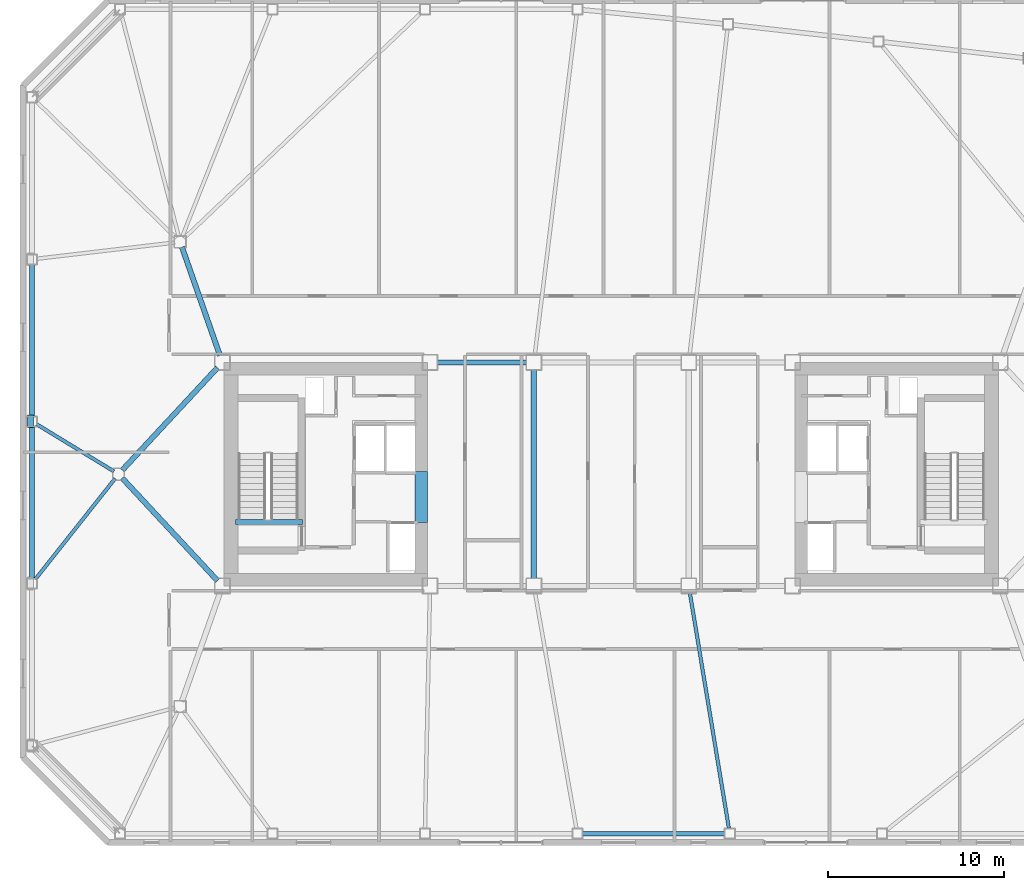
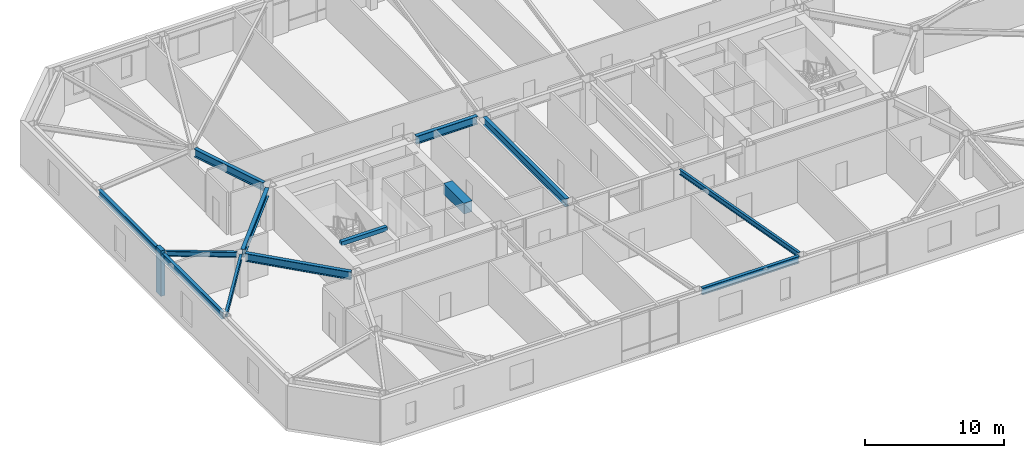
# One storey, part 3 of 18: 13 beams, 1 member.
"""IFC4 building model written with IfcOpenShell, lengths in metres."""

from ifc_helpers import new_model, si_unit, direction, frame, origin, origin_2d, place, context, subcontext, project, spatial, rectangle, i_section, extrude, material, material_profile, profile_set, type_object, element, save


model = new_model("IFC4")

# Units and contexts
model_context = context("Model", 3, precision=1e-05, world=origin(), true_north=direction((0.0, 1.0)))
body_context = subcontext(model_context, "Body", "Model", "MODEL_VIEW")
ifc_project = project(units=[si_unit("LENGTHUNIT", "METRE"), si_unit("AREAUNIT", "SQUARE_METRE"), si_unit("VOLUMEUNIT", "CUBIC_METRE"), si_unit("PLANEANGLEUNIT", "RADIAN"), si_unit("MASSUNIT", "GRAM", prefix="KILO")], contexts=[model_context])

# Site, building, storey
site_placement = place(None, origin())
site = spatial("IfcSite", under=ifc_project, at=site_placement, CompositionType="ELEMENT")
building_placement = place(site_placement, origin())
building = spatial("IfcBuilding", under=site, at=building_placement, Name="Tavrogorsk Clinical Tower", CompositionType="ELEMENT")
storey_placement = place(building_placement, frame((0.0, 0.0, 200.199951171875)))
storey = spatial("IfcBuildingStorey", under=building, at=storey_placement, Name="L46", CompositionType="ELEMENT", Elevation=200.199951171875)

# Beams
ifc_material_1 = material(Name="Concrete B80", Category="concrete")
ifc_material_profile_1 = material_profile(ifc_material_1, rectangle(XDim=0.699951171875, YDim=0.949951171875, at=origin_2d()), Name="RC-CB-700x950")
ifc_profile_set_1 = profile_set([ifc_material_profile_1], Name="Concrete B80")
beam_type_1 = type_object("IfcBeamType", Name="CouplingBeam_RC700x950", PredefinedType="LINTEL", material=ifc_profile_set_1)
beam_1_placement = place(storey_placement, frame((-10.800048828125, -2.75, 3.26513671875), z_axis=(0.0, 1.0, 0.0), x_axis=(-1.0, 0.0, 0.0)))
element("IfcBeam", 1, at=beam_1_placement, inside=storey, type_object=beam_type_1, Name="L46 Core West Coupling Beam", PredefinedType="LINTEL", context=body_context, shape_type="SweptSolid", body=[
    extrude(rectangle(XDim=0.699951171875, YDim=0.949951171875, at=origin_2d()), origin(), (0.0, 0.0, 1.0), 2.89990234375),
])
ifc_material_2 = material(Name="Structural steel S355", Category="steel")
ifc_material_profile_2 = material_profile(ifc_material_2, i_section(OverallWidth=0.199951171875, OverallDepth=0.449951171875, WebThickness=0.011474609375, FlangeThickness=0.01806640625, at=origin_2d()), Name="B-450x200x11.5x18")
ifc_profile_set_2 = profile_set([ifc_material_profile_2], Name="Structural steel S355")
beam_type_2 = type_object("IfcBeamType", Name="FloorBeam_B450", PredefinedType="BEAM", material=ifc_profile_set_2)
beam_2_placement = place(storey_placement, frame((4.467041015625, -6.75439453125, 3.51513671875), z_axis=(0.16347521907, -0.986547440699, 0.0), x_axis=(0.986547440699, 0.16347521907, 0.0)))
element("IfcBeam", 2, at=beam_2_placement, inside=storey, type_object=beam_type_2, Name="L46 Radial Floor Beam S5", PredefinedType="BEAM", context=body_context, shape_type="SweptSolid", body=[
    extrude(i_section(OverallWidth=0.199951171875, OverallDepth=0.449951171875, WebThickness=0.011474609375, FlangeThickness=0.01806640625, at=origin_2d()), origin(), (0.0, 0.0, 1.0), 13.5439453125),
])
beam_3_placement = place(storey_placement, frame((-28.2646484375, 0.161376953125, 3.51513671875), z_axis=(-0.853798748257, 0.520603205402, 0.0), x_axis=(-0.520603205402, -0.853798748257, 0.0)))
element("IfcBeam", 3, at=beam_3_placement, inside=storey, type_object=beam_type_2, Name="L46 Radial Floor Beam W3", PredefinedType="BEAM", context=body_context, shape_type="SweptSolid", body=[
    extrude(i_section(OverallWidth=0.199951171875, OverallDepth=0.449951171875, WebThickness=0.011474609375, FlangeThickness=0.01806640625, at=origin_2d()), origin(), (0.0, 0.0, 1.0), 5.14453125),
])
beam_4_placement = place(storey_placement, frame((-28.192626953125, -0.242919921875, 3.51513671875), z_axis=(-0.620987118336, -0.783820769603, 0.0), x_axis=(0.783820769603, -0.620987118336, 0.0)))
element("IfcBeam", 4, at=beam_4_placement, inside=storey, type_object=beam_type_2, Name="L46 Radial Floor Beam W4", PredefinedType="BEAM", context=body_context, shape_type="SweptSolid", body=[
    extrude(i_section(OverallWidth=0.199951171875, OverallDepth=0.449951171875, WebThickness=0.011474609375, FlangeThickness=0.01806640625, at=origin_2d()), origin(), (0.0, 0.0, 1.0), 7.3046875),
])

# Member
ifc_material_3 = material(Name="Precast concrete B45 with limestone cladding", Category="masonry")
ifc_material_profile_3 = material_profile(ifc_material_3, rectangle(XDim=0.320068359375, YDim=0.719970703125, at=origin_2d()), Name="LIMESTONE-FIN-320x720")
ifc_profile_set_3 = profile_set([ifc_material_profile_3], Name="Precast concrete B45 with limestone cladding")
member_type = type_object("IfcMemberType", Name="LimestonePleatFin_320x720", PredefinedType="USERDEFINED", material=ifc_profile_set_3)
member_placement = place(storey_placement, frame((-33.0, 3.0, 0.0), z_axis=(0.0, 0.0, 1.0), x_axis=(1.0, 0.0, 0.0)))
element("IfcMember", 5, at=member_placement, inside=storey, type_object=member_type, Name="L46 W Pleated Stone Fin 2", ObjectType="FIN", PredefinedType="USERDEFINED", context=body_context, shape_type="SweptSolid", body=[
    extrude(rectangle(XDim=0.320068359375, YDim=0.719970703125, at=origin_2d()), origin(), (0.0, 0.0, 1.0), 4.0),
])

# Beams
ifc_material_4 = material(Name="Structural steel S390", Category="steel")
ifc_material_profile_4 = material_profile(ifc_material_4, i_section(OverallWidth=0.300048828125, OverallDepth=0.699951171875, WebThickness=0.01708984375, FlangeThickness=0.028076171875, at=origin_2d()), Name="B-700x300x17x28")
ifc_profile_set_4 = profile_set([ifc_material_profile_4], Name="Structural steel S390")
beam_type_3 = type_object("IfcBeamType", Name="PrimaryGirder_B700", PredefinedType="USERDEFINED", material=ifc_profile_set_4)
beam_5_placement = place(storey_placement, frame((-9.889892578125, 6.35009765625, 3.39013671875), z_axis=(1.0, 0.0, 0.0), x_axis=(0.0, 1.0, 0.0)))
element("IfcBeam", 6, at=beam_5_placement, inside=storey, type_object=beam_type_3, Name="L46 Primary Spine Girder MG-02", ObjectType="GIRDER", PredefinedType="USERDEFINED", context=body_context, shape_type="SweptSolid", body=[
    extrude(i_section(OverallWidth=0.300048828125, OverallDepth=0.699951171875, WebThickness=0.01708984375, FlangeThickness=0.028076171875, at=origin_2d()), origin(), (0.0, 0.0, 1.0), 5.079833984375),
])
beam_6_placement = place(storey_placement, frame((-4.39990234375, -5.93994140625, 3.39013671875), z_axis=(0.0, 1.0, 0.0), x_axis=(-1.0, 0.0, 0.0)))
element("IfcBeam", 7, at=beam_6_placement, inside=storey, type_object=beam_type_3, Name="L46 Primary Spine Girder MG-07", ObjectType="GIRDER", PredefinedType="USERDEFINED", context=body_context, shape_type="SweptSolid", body=[
    extrude(i_section(OverallWidth=0.300048828125, OverallDepth=0.699951171875, WebThickness=0.01708984375, FlangeThickness=0.028076171875, at=origin_2d()), origin(), (0.0, 0.0, 1.0), 11.8798828125),
])
beam_7_placement = place(storey_placement, frame((-24.3974609375, 12.907470703125, 3.39013671875), z_axis=(0.33065312634, -0.94375235631, 0.0), x_axis=(0.94375235631, 0.33065312634, 0.0)))
element("IfcBeam", 8, at=beam_7_placement, inside=storey, type_object=beam_type_3, Name="L46 Spine Link Girder OPG-3", ObjectType="GIRDER", PredefinedType="USERDEFINED", context=body_context, shape_type="SweptSolid", body=[
    extrude(i_section(OverallWidth=0.300048828125, OverallDepth=0.699951171875, WebThickness=0.01708984375, FlangeThickness=0.028076171875, at=origin_2d()), origin(), (0.0, 0.0, 1.0), 6.5380859375),
])
for number, where, z_axis, x_axis, name in (
    (9, (-27.7890625, -0.22705078125, 3.39013671875), (0.680673750312, -0.732586681312, 0.0), (0.732586681312, 0.680673750312, 0.0), "L46 Spine Link Girder OPG-5"),
    (10, (-27.7890625, 0.22705078125, 3.39013671875), (0.680673750312, 0.732586681312, 0.0), (-0.732586681312, 0.680673750312, 0.0), "L46 Spine Link Girder OPG-6"),
):
    element("IfcBeam", number, at=place(storey_placement, frame(where, z_axis=z_axis, x_axis=x_axis)), inside=storey, type_object=beam_type_3, Name=name, ObjectType="GIRDER", PredefinedType="USERDEFINED", context=body_context, shape_type="SweptSolid", body=[
        extrude(i_section(OverallWidth=0.300048828125, OverallDepth=0.699951171875, WebThickness=0.01708984375, FlangeThickness=0.028076171875, at=origin_2d()), origin(), (0.0, 0.0, 1.0), 7.947998046875),
    ])
ifc_material_5 = material(Name="Structural steel S390", Category="steel")
ifc_material_profile_5 = material_profile(ifc_material_5, i_section(OverallWidth=0.260009765625, OverallDepth=0.60009765625, WebThickness=0.014892578125, FlangeThickness=0.02392578125, at=origin_2d()), Name="B-600x260x15x24")
ifc_profile_set_5 = profile_set([ifc_material_profile_5], Name="Structural steel S390")
beam_type_4 = type_object("IfcBeamType", Name="SpandrelBeam_B600", PredefinedType="SPANDREL", material=ifc_profile_set_5)
beam_8_placement = place(storey_placement, frame((-1.623291015625, -20.419921875, 3.43994140625), z_axis=(1.0, 0.0, 0.0), x_axis=(0.0, 1.0, 0.0)))
element("IfcBeam", 11, at=beam_8_placement, inside=storey, type_object=beam_type_4, Name="L46 Perimeter Spandrel S4-S5", PredefinedType="SPANDREL", context=body_context, shape_type="SweptSolid", body=[
    extrude(i_section(OverallWidth=0.260009765625, OverallDepth=0.60009765625, WebThickness=0.014892578125, FlangeThickness=0.02392578125, at=origin_2d()), origin(), (0.0, 0.0, 1.0), 8.046630859375),
])
for number, where, z_axis, x_axis, name in (
    (12, (-32.919921875, 11.902099609375, 3.43994140625), (0.0, -1.0, 0.0), (1.0, 0.0, 0.0), "L46 Perimeter Spandrel W2-W3"),
    (13, (-32.919921875, 2.69189453125, 3.43994140625), (0.0, -1.0, 0.0), (1.0, 0.0, 0.0), "L46 Perimeter Spandrel W3-W4"),
):
    element("IfcBeam", number, at=place(storey_placement, frame(where, z_axis=z_axis, x_axis=x_axis)), inside=storey, type_object=beam_type_4, Name=name, PredefinedType="SPANDREL", context=body_context, shape_type="SweptSolid", body=[
        extrude(i_section(OverallWidth=0.260009765625, OverallDepth=0.60009765625, WebThickness=0.014892578125, FlangeThickness=0.02392578125, at=origin_2d()), origin(), (0.0, 0.0, 1.0), 8.593994140625),
    ])
ifc_material_6 = material(Name="Concrete B60", Category="concrete")
ifc_material_profile_6 = material_profile(ifc_material_6, rectangle(XDim=0.300048828125, YDim=0.35009765625, at=origin_2d()), Name="RC-SHB-300x350")
ifc_profile_set_6 = profile_set([ifc_material_profile_6], Name="Concrete B60")
beam_type_5 = type_object("IfcBeamType", Name="StairHeaderBeam_RC300x350", PredefinedType="BEAM", material=ifc_profile_set_6)
beam_9_placement = place(storey_placement, frame((-21.35009765625, -2.719970703125, 3.824951171875), z_axis=(1.0, 0.0, 0.0), x_axis=(0.0, 1.0, 0.0)))
element("IfcBeam", 14, at=beam_9_placement, inside=storey, type_object=beam_type_5, Name="L47 ST-W Landing Header Beam", PredefinedType="BEAM", context=body_context, shape_type="SweptSolid", body=[
    extrude(rectangle(XDim=0.300048828125, YDim=0.35009765625, at=origin_2d()), origin(), (0.0, 0.0, 1.0), 3.800048828125),
])

save(model, "model.ifc")
